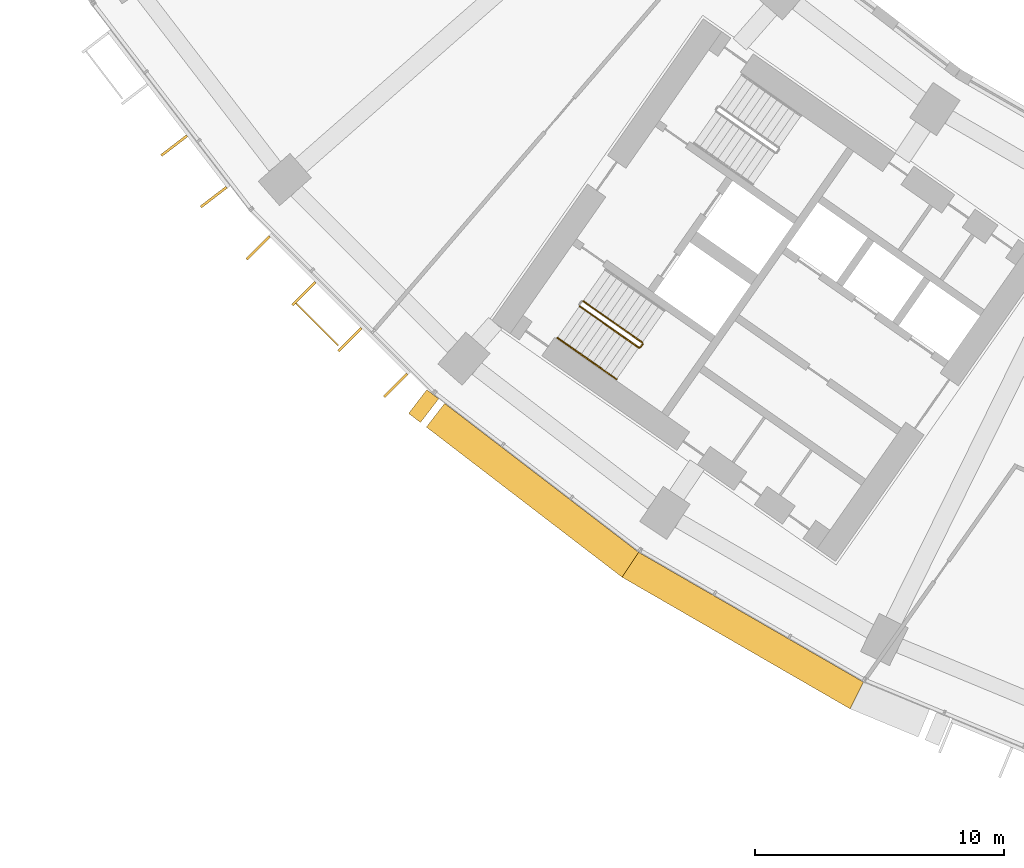
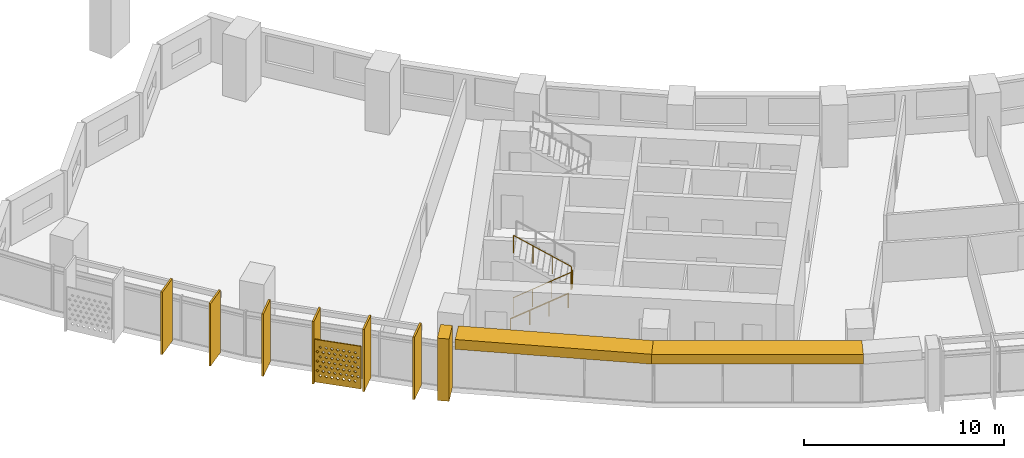
# One storey, part 24 of 31: 10 shading devices, 3 railings.
"""IFC4 building model written with IfcOpenShell, lengths in metres."""

from ifc_helpers import new_model, si_unit, direction, frame, origin, origin_2d, place, context, subcontext, project, spatial, polyline, rectangle, circle, outline, extrude, material, material_profile, profile_set, type_object, element, save


model = new_model("IFC4")

# Units and contexts
model_context = context("Model", 3, precision=1e-05, world=origin(), true_north=direction((0.0, 1.0)))
body_context = subcontext(model_context, "Body", "Model", "MODEL_VIEW")
ifc_project = project(units=[si_unit("LENGTHUNIT", "METRE"), si_unit("AREAUNIT", "SQUARE_METRE"), si_unit("VOLUMEUNIT", "CUBIC_METRE"), si_unit("PLANEANGLEUNIT", "RADIAN"), si_unit("MASSUNIT", "GRAM", prefix="KILO")], contexts=[model_context])

# Site, building, storey
site_placement = place(None, origin())
site = spatial("IfcSite", under=ifc_project, at=site_placement, CompositionType="ELEMENT")
building_placement = place(site_placement, origin())
building = spatial("IfcBuilding", under=site, at=building_placement, Name="Qamariyya Broadcast Tower", CompositionType="ELEMENT")
storey_placement = place(building_placement, frame((0.0, 0.0, 86.10009765625)))
storey = spatial("IfcBuildingStorey", under=building, at=storey_placement, Name="L18", CompositionType="ELEMENT", Elevation=86.10009765625)

# Shading devices
ifc_material_1 = material(Name="Steel S355 powder coated deep red", Category="steel")
shading_device_type_1 = type_object("IfcShadingDeviceType", Name="Deep red frame, powder coated steel box section", PredefinedType="USERDEFINED", material=ifc_material_1)
shading_device_1_placement = place(storey_placement, origin())
element("IfcShadingDevice", 1, at=shading_device_1_placement, inside=storey, type_object=shading_device_type_1, Name="e-frm-B1-F2-posta-L18", ObjectType="FRAME", PredefinedType="USERDEFINED", context=body_context, shape_type="SweptSolid", body=[
    extrude(outline(polyline([(-52.7548828125, -59.701416015625), (-53.4853515625, -60.6533203125), (-53.009521484375, -61.018798828125), (-52.27880859375, -60.066650390625), (-52.7548828125, -59.701416015625)])), origin(), (0.0, 0.0, 1.0), 3.7998046875),
])
shading_device_2_placement = place(storey_placement, frame((0.0, 0.0, 3.199951171875)))
element("IfcShadingDevice", 2, at=shading_device_2_placement, inside=storey, type_object=shading_device_type_1, Name="e-frm-B1-F2-top0", ObjectType="FRAME", PredefinedType="USERDEFINED", context=body_context, shape_type="SweptSolid", body=[
    extrude(outline(polyline([(-52.040771484375, -60.249267578125), (-52.771484375, -61.201416015625), (-44.919189453125, -67.2265625), (-44.251220703125, -66.2265625), (-52.040771484375, -60.249267578125)])), origin(), (0.0, 0.0, 1.0), 0.599853515625),
])
shading_device_3_placement = place(storey_placement, frame((0.0, 0.0, 3.199951171875)))
element("IfcShadingDevice", 3, at=shading_device_3_placement, inside=storey, type_object=shading_device_type_1, Name="e-frm-B1-F2-top1", ObjectType="FRAME", PredefinedType="USERDEFINED", context=body_context, shape_type="SweptSolid", body=[
    extrude(outline(polyline([(-44.251220703125, -66.2265625), (-44.919189453125, -67.2265625), (-35.76025390625, -72.514404296875), (-35.228271484375, -71.43603515625), (-44.251220703125, -66.2265625)])), origin(), (0.0, 0.0, 1.0), 0.599853515625),
])
ifc_material_2 = material(Name="Perforated glazed terracotta", Category="masonry")
ifc_material_profile_1 = material_profile(ifc_material_2, outline(polyline([(-1.199951171875, -1.300048828125), (1.199951171875, -1.300048828125), (1.199951171875, 1.300048828125), (-1.199951171875, 1.300048828125), (-1.199951171875, -1.300048828125)]), holes=[polyline([(-0.81494140625, -0.86669921875), (-0.89990234375, -0.78173828125), (-0.985107421875, -0.86669921875), (-0.89990234375, -0.95166015625), (-0.81494140625, -0.86669921875)]), polyline([(-0.514892578125, -0.86669921875), (-0.60009765625, -0.78173828125), (-0.68505859375, -0.86669921875), (-0.60009765625, -0.95166015625), (-0.514892578125, -0.86669921875)]), polyline([(-0.215087890625, -0.86669921875), (-0.300048828125, -0.78173828125), (-0.385009765625, -0.86669921875), (-0.300048828125, -0.95166015625), (-0.215087890625, -0.86669921875)]), polyline([(0.0849609375, -0.86669921875), (0.0, -0.78173828125), (-0.0849609375, -0.86669921875), (0.0, -0.95166015625), (0.0849609375, -0.86669921875)]), polyline([(0.385009765625, -0.86669921875), (0.300048828125, -0.78173828125), (0.215087890625, -0.86669921875), (0.300048828125, -0.95166015625), (0.385009765625, -0.86669921875)]), polyline([(0.68505859375, -0.86669921875), (0.60009765625, -0.78173828125), (0.514892578125, -0.86669921875), (0.60009765625, -0.95166015625), (0.68505859375, -0.86669921875)]), polyline([(0.985107421875, -0.86669921875), (0.89990234375, -0.78173828125), (0.81494140625, -0.86669921875), (0.89990234375, -0.95166015625), (0.985107421875, -0.86669921875)]), polyline([(-0.965087890625, -0.577880859375), (-1.050048828125, -0.49267578125), (-1.135009765625, -0.577880859375), (-1.050048828125, -0.662841796875), (-0.965087890625, -0.577880859375)]), polyline([(-0.6650390625, -0.577880859375), (-0.75, -0.49267578125), (-0.8349609375, -0.577880859375), (-0.75, -0.662841796875), (-0.6650390625, -0.577880859375)]), polyline([(-0.364990234375, -0.577880859375), (-0.449951171875, -0.49267578125), (-0.534912109375, -0.577880859375), (-0.449951171875, -0.662841796875), (-0.364990234375, -0.577880859375)]), polyline([(-0.06494140625, -0.577880859375), (-0.14990234375, -0.49267578125), (-0.235107421875, -0.577880859375), (-0.14990234375, -0.662841796875), (-0.06494140625, -0.577880859375)]), polyline([(0.235107421875, -0.577880859375), (0.14990234375, -0.49267578125), (0.06494140625, -0.577880859375), (0.14990234375, -0.662841796875), (0.235107421875, -0.577880859375)]), polyline([(0.534912109375, -0.577880859375), (0.449951171875, -0.49267578125), (0.364990234375, -0.577880859375), (0.449951171875, -0.662841796875), (0.534912109375, -0.577880859375)]), polyline([(0.8349609375, -0.577880859375), (0.75, -0.49267578125), (0.6650390625, -0.577880859375), (0.75, -0.662841796875), (0.8349609375, -0.577880859375)]), polyline([(1.135009765625, -0.577880859375), (1.050048828125, -0.49267578125), (0.965087890625, -0.577880859375), (1.050048828125, -0.662841796875), (1.135009765625, -0.577880859375)]), polyline([(-0.81494140625, -0.288818359375), (-0.89990234375, -0.203857421875), (-0.985107421875, -0.288818359375), (-0.89990234375, -0.373779296875), (-0.81494140625, -0.288818359375)]), polyline([(-0.514892578125, -0.288818359375), (-0.60009765625, -0.203857421875), (-0.68505859375, -0.288818359375), (-0.60009765625, -0.373779296875), (-0.514892578125, -0.288818359375)]), polyline([(-0.215087890625, -0.288818359375), (-0.300048828125, -0.203857421875), (-0.385009765625, -0.288818359375), (-0.300048828125, -0.373779296875), (-0.215087890625, -0.288818359375)]), polyline([(0.0849609375, -0.288818359375), (0.0, -0.203857421875), (-0.0849609375, -0.288818359375), (0.0, -0.373779296875), (0.0849609375, -0.288818359375)]), polyline([(0.385009765625, -0.288818359375), (0.300048828125, -0.203857421875), (0.215087890625, -0.288818359375), (0.300048828125, -0.373779296875), (0.385009765625, -0.288818359375)]), polyline([(0.68505859375, -0.288818359375), (0.60009765625, -0.203857421875), (0.514892578125, -0.288818359375), (0.60009765625, -0.373779296875), (0.68505859375, -0.288818359375)]), polyline([(0.985107421875, -0.288818359375), (0.89990234375, -0.203857421875), (0.81494140625, -0.288818359375), (0.89990234375, -0.373779296875), (0.985107421875, -0.288818359375)]), polyline([(-0.965087890625, 0.0), (-1.050048828125, 0.0849609375), (-1.135009765625, 0.0), (-1.050048828125, -0.0849609375), (-0.965087890625, 0.0)]), polyline([(-0.6650390625, 0.0), (-0.75, 0.0849609375), (-0.8349609375, 0.0), (-0.75, -0.0849609375), (-0.6650390625, 0.0)]), polyline([(-0.364990234375, 0.0), (-0.449951171875, 0.0849609375), (-0.534912109375, 0.0), (-0.449951171875, -0.0849609375), (-0.364990234375, 0.0)]), polyline([(-0.06494140625, 0.0), (-0.14990234375, 0.0849609375), (-0.235107421875, 0.0), (-0.14990234375, -0.0849609375), (-0.06494140625, 0.0)]), polyline([(0.235107421875, 0.0), (0.14990234375, 0.0849609375), (0.06494140625, 0.0), (0.14990234375, -0.0849609375), (0.235107421875, 0.0)]), polyline([(0.534912109375, 0.0), (0.449951171875, 0.0849609375), (0.364990234375, 0.0), (0.449951171875, -0.0849609375), (0.534912109375, 0.0)]), polyline([(0.8349609375, 0.0), (0.75, 0.0849609375), (0.6650390625, 0.0), (0.75, -0.0849609375), (0.8349609375, 0.0)]), polyline([(1.135009765625, 0.0), (1.050048828125, 0.0849609375), (0.965087890625, 0.0), (1.050048828125, -0.0849609375), (1.135009765625, 0.0)]), polyline([(-0.81494140625, 0.288818359375), (-0.89990234375, 0.373779296875), (-0.985107421875, 0.288818359375), (-0.89990234375, 0.203857421875), (-0.81494140625, 0.288818359375)]), polyline([(-0.514892578125, 0.288818359375), (-0.60009765625, 0.373779296875), (-0.68505859375, 0.288818359375), (-0.60009765625, 0.203857421875), (-0.514892578125, 0.288818359375)]), polyline([(-0.215087890625, 0.288818359375), (-0.300048828125, 0.373779296875), (-0.385009765625, 0.288818359375), (-0.300048828125, 0.203857421875), (-0.215087890625, 0.288818359375)]), polyline([(0.0849609375, 0.288818359375), (0.0, 0.373779296875), (-0.0849609375, 0.288818359375), (0.0, 0.203857421875), (0.0849609375, 0.288818359375)]), polyline([(0.385009765625, 0.288818359375), (0.300048828125, 0.373779296875), (0.215087890625, 0.288818359375), (0.300048828125, 0.203857421875), (0.385009765625, 0.288818359375)]), polyline([(0.68505859375, 0.288818359375), (0.60009765625, 0.373779296875), (0.514892578125, 0.288818359375), (0.60009765625, 0.203857421875), (0.68505859375, 0.288818359375)]), polyline([(0.985107421875, 0.288818359375), (0.89990234375, 0.373779296875), (0.81494140625, 0.288818359375), (0.89990234375, 0.203857421875), (0.985107421875, 0.288818359375)]), polyline([(-0.965087890625, 0.577880859375), (-1.050048828125, 0.662841796875), (-1.135009765625, 0.577880859375), (-1.050048828125, 0.49267578125), (-0.965087890625, 0.577880859375)]), polyline([(-0.6650390625, 0.577880859375), (-0.75, 0.662841796875), (-0.8349609375, 0.577880859375), (-0.75, 0.49267578125), (-0.6650390625, 0.577880859375)]), polyline([(-0.364990234375, 0.577880859375), (-0.449951171875, 0.662841796875), (-0.534912109375, 0.577880859375), (-0.449951171875, 0.49267578125), (-0.364990234375, 0.577880859375)]), polyline([(-0.06494140625, 0.577880859375), (-0.14990234375, 0.662841796875), (-0.235107421875, 0.577880859375), (-0.14990234375, 0.49267578125), (-0.06494140625, 0.577880859375)]), polyline([(0.235107421875, 0.577880859375), (0.14990234375, 0.662841796875), (0.06494140625, 0.577880859375), (0.14990234375, 0.49267578125), (0.235107421875, 0.577880859375)]), polyline([(0.534912109375, 0.577880859375), (0.449951171875, 0.662841796875), (0.364990234375, 0.577880859375), (0.449951171875, 0.49267578125), (0.534912109375, 0.577880859375)]), polyline([(0.8349609375, 0.577880859375), (0.75, 0.662841796875), (0.6650390625, 0.577880859375), (0.75, 0.49267578125), (0.8349609375, 0.577880859375)]), polyline([(1.135009765625, 0.577880859375), (1.050048828125, 0.662841796875), (0.965087890625, 0.577880859375), (1.050048828125, 0.49267578125), (1.135009765625, 0.577880859375)]), polyline([(-0.81494140625, 0.86669921875), (-0.89990234375, 0.95166015625), (-0.985107421875, 0.86669921875), (-0.89990234375, 0.78173828125), (-0.81494140625, 0.86669921875)]), polyline([(-0.514892578125, 0.86669921875), (-0.60009765625, 0.95166015625), (-0.68505859375, 0.86669921875), (-0.60009765625, 0.78173828125), (-0.514892578125, 0.86669921875)]), polyline([(-0.215087890625, 0.86669921875), (-0.300048828125, 0.95166015625), (-0.385009765625, 0.86669921875), (-0.300048828125, 0.78173828125), (-0.215087890625, 0.86669921875)]), polyline([(0.0849609375, 0.86669921875), (0.0, 0.95166015625), (-0.0849609375, 0.86669921875), (0.0, 0.78173828125), (0.0849609375, 0.86669921875)]), polyline([(0.385009765625, 0.86669921875), (0.300048828125, 0.95166015625), (0.215087890625, 0.86669921875), (0.300048828125, 0.78173828125), (0.385009765625, 0.86669921875)]), polyline([(0.68505859375, 0.86669921875), (0.60009765625, 0.95166015625), (0.514892578125, 0.86669921875), (0.60009765625, 0.78173828125), (0.68505859375, 0.86669921875)]), polyline([(0.985107421875, 0.86669921875), (0.89990234375, 0.95166015625), (0.81494140625, 0.86669921875), (0.89990234375, 0.78173828125), (0.985107421875, 0.86669921875)])]))
ifc_profile_set_1 = profile_set([ifc_material_profile_1], Name="Perforated glazed terracotta")
shading_device_type_2 = type_object("IfcShadingDeviceType", Name="Perforated terracotta screen 2400 x 2600", PredefinedType="USERDEFINED", material=ifc_profile_set_1)
shading_device_4_placement = place(storey_placement, frame((-57.135498046875, -57.0615234375, 1.349853515625), z_axis=(-0.707106781187, -0.707106781187, 0.0), x_axis=(0.707106781187, -0.707106781187, 0.0)))
element("IfcShadingDevice", 4, at=shading_device_4_placement, inside=storey, type_object=shading_device_type_2, Name="e-scr-L18-02-1", ObjectType="SCREEN", PredefinedType="USERDEFINED", context=body_context, shape_type="SweptSolid", body=[
    extrude(outline(polyline([(-1.199951171875, -1.300048828125), (1.199951171875, -1.300048828125), (1.199951171875, 1.300048828125), (-1.199951171875, 1.300048828125), (-1.199951171875, -1.300048828125)]), holes=[polyline([(-0.81494140625, -0.86669921875), (-0.89990234375, -0.78173828125), (-0.985107421875, -0.86669921875), (-0.89990234375, -0.95166015625), (-0.81494140625, -0.86669921875)]), polyline([(-0.514892578125, -0.86669921875), (-0.60009765625, -0.78173828125), (-0.68505859375, -0.86669921875), (-0.60009765625, -0.95166015625), (-0.514892578125, -0.86669921875)]), polyline([(-0.215087890625, -0.86669921875), (-0.300048828125, -0.78173828125), (-0.385009765625, -0.86669921875), (-0.300048828125, -0.95166015625), (-0.215087890625, -0.86669921875)]), polyline([(0.0849609375, -0.86669921875), (0.0, -0.78173828125), (-0.0849609375, -0.86669921875), (0.0, -0.95166015625), (0.0849609375, -0.86669921875)]), polyline([(0.385009765625, -0.86669921875), (0.300048828125, -0.78173828125), (0.215087890625, -0.86669921875), (0.300048828125, -0.95166015625), (0.385009765625, -0.86669921875)]), polyline([(0.68505859375, -0.86669921875), (0.60009765625, -0.78173828125), (0.514892578125, -0.86669921875), (0.60009765625, -0.95166015625), (0.68505859375, -0.86669921875)]), polyline([(0.985107421875, -0.86669921875), (0.89990234375, -0.78173828125), (0.81494140625, -0.86669921875), (0.89990234375, -0.95166015625), (0.985107421875, -0.86669921875)]), polyline([(-0.965087890625, -0.577880859375), (-1.050048828125, -0.49267578125), (-1.135009765625, -0.577880859375), (-1.050048828125, -0.662841796875), (-0.965087890625, -0.577880859375)]), polyline([(-0.6650390625, -0.577880859375), (-0.75, -0.49267578125), (-0.8349609375, -0.577880859375), (-0.75, -0.662841796875), (-0.6650390625, -0.577880859375)]), polyline([(-0.364990234375, -0.577880859375), (-0.449951171875, -0.49267578125), (-0.534912109375, -0.577880859375), (-0.449951171875, -0.662841796875), (-0.364990234375, -0.577880859375)]), polyline([(-0.06494140625, -0.577880859375), (-0.14990234375, -0.49267578125), (-0.235107421875, -0.577880859375), (-0.14990234375, -0.662841796875), (-0.06494140625, -0.577880859375)]), polyline([(0.235107421875, -0.577880859375), (0.14990234375, -0.49267578125), (0.06494140625, -0.577880859375), (0.14990234375, -0.662841796875), (0.235107421875, -0.577880859375)]), polyline([(0.534912109375, -0.577880859375), (0.449951171875, -0.49267578125), (0.364990234375, -0.577880859375), (0.449951171875, -0.662841796875), (0.534912109375, -0.577880859375)]), polyline([(0.8349609375, -0.577880859375), (0.75, -0.49267578125), (0.6650390625, -0.577880859375), (0.75, -0.662841796875), (0.8349609375, -0.577880859375)]), polyline([(1.135009765625, -0.577880859375), (1.050048828125, -0.49267578125), (0.965087890625, -0.577880859375), (1.050048828125, -0.662841796875), (1.135009765625, -0.577880859375)]), polyline([(-0.81494140625, -0.288818359375), (-0.89990234375, -0.203857421875), (-0.985107421875, -0.288818359375), (-0.89990234375, -0.373779296875), (-0.81494140625, -0.288818359375)]), polyline([(-0.514892578125, -0.288818359375), (-0.60009765625, -0.203857421875), (-0.68505859375, -0.288818359375), (-0.60009765625, -0.373779296875), (-0.514892578125, -0.288818359375)]), polyline([(-0.215087890625, -0.288818359375), (-0.300048828125, -0.203857421875), (-0.385009765625, -0.288818359375), (-0.300048828125, -0.373779296875), (-0.215087890625, -0.288818359375)]), polyline([(0.0849609375, -0.288818359375), (0.0, -0.203857421875), (-0.0849609375, -0.288818359375), (0.0, -0.373779296875), (0.0849609375, -0.288818359375)]), polyline([(0.385009765625, -0.288818359375), (0.300048828125, -0.203857421875), (0.215087890625, -0.288818359375), (0.300048828125, -0.373779296875), (0.385009765625, -0.288818359375)]), polyline([(0.68505859375, -0.288818359375), (0.60009765625, -0.203857421875), (0.514892578125, -0.288818359375), (0.60009765625, -0.373779296875), (0.68505859375, -0.288818359375)]), polyline([(0.985107421875, -0.288818359375), (0.89990234375, -0.203857421875), (0.81494140625, -0.288818359375), (0.89990234375, -0.373779296875), (0.985107421875, -0.288818359375)]), polyline([(-0.965087890625, 0.0), (-1.050048828125, 0.0849609375), (-1.135009765625, 0.0), (-1.050048828125, -0.0849609375), (-0.965087890625, 0.0)]), polyline([(-0.6650390625, 0.0), (-0.75, 0.0849609375), (-0.8349609375, 0.0), (-0.75, -0.0849609375), (-0.6650390625, 0.0)]), polyline([(-0.364990234375, 0.0), (-0.449951171875, 0.0849609375), (-0.534912109375, 0.0), (-0.449951171875, -0.0849609375), (-0.364990234375, 0.0)]), polyline([(-0.06494140625, 0.0), (-0.14990234375, 0.0849609375), (-0.235107421875, 0.0), (-0.14990234375, -0.0849609375), (-0.06494140625, 0.0)]), polyline([(0.235107421875, 0.0), (0.14990234375, 0.0849609375), (0.06494140625, 0.0), (0.14990234375, -0.0849609375), (0.235107421875, 0.0)]), polyline([(0.534912109375, 0.0), (0.449951171875, 0.0849609375), (0.364990234375, 0.0), (0.449951171875, -0.0849609375), (0.534912109375, 0.0)]), polyline([(0.8349609375, 0.0), (0.75, 0.0849609375), (0.6650390625, 0.0), (0.75, -0.0849609375), (0.8349609375, 0.0)]), polyline([(1.135009765625, 0.0), (1.050048828125, 0.0849609375), (0.965087890625, 0.0), (1.050048828125, -0.0849609375), (1.135009765625, 0.0)]), polyline([(-0.81494140625, 0.288818359375), (-0.89990234375, 0.373779296875), (-0.985107421875, 0.288818359375), (-0.89990234375, 0.203857421875), (-0.81494140625, 0.288818359375)]), polyline([(-0.514892578125, 0.288818359375), (-0.60009765625, 0.373779296875), (-0.68505859375, 0.288818359375), (-0.60009765625, 0.203857421875), (-0.514892578125, 0.288818359375)]), polyline([(-0.215087890625, 0.288818359375), (-0.300048828125, 0.373779296875), (-0.385009765625, 0.288818359375), (-0.300048828125, 0.203857421875), (-0.215087890625, 0.288818359375)]), polyline([(0.0849609375, 0.288818359375), (0.0, 0.373779296875), (-0.0849609375, 0.288818359375), (0.0, 0.203857421875), (0.0849609375, 0.288818359375)]), polyline([(0.385009765625, 0.288818359375), (0.300048828125, 0.373779296875), (0.215087890625, 0.288818359375), (0.300048828125, 0.203857421875), (0.385009765625, 0.288818359375)]), polyline([(0.68505859375, 0.288818359375), (0.60009765625, 0.373779296875), (0.514892578125, 0.288818359375), (0.60009765625, 0.203857421875), (0.68505859375, 0.288818359375)]), polyline([(0.985107421875, 0.288818359375), (0.89990234375, 0.373779296875), (0.81494140625, 0.288818359375), (0.89990234375, 0.203857421875), (0.985107421875, 0.288818359375)]), polyline([(-0.965087890625, 0.577880859375), (-1.050048828125, 0.662841796875), (-1.135009765625, 0.577880859375), (-1.050048828125, 0.49267578125), (-0.965087890625, 0.577880859375)]), polyline([(-0.6650390625, 0.577880859375), (-0.75, 0.662841796875), (-0.8349609375, 0.577880859375), (-0.75, 0.49267578125), (-0.6650390625, 0.577880859375)]), polyline([(-0.364990234375, 0.577880859375), (-0.449951171875, 0.662841796875), (-0.534912109375, 0.577880859375), (-0.449951171875, 0.49267578125), (-0.364990234375, 0.577880859375)]), polyline([(-0.06494140625, 0.577880859375), (-0.14990234375, 0.662841796875), (-0.235107421875, 0.577880859375), (-0.14990234375, 0.49267578125), (-0.06494140625, 0.577880859375)]), polyline([(0.235107421875, 0.577880859375), (0.14990234375, 0.662841796875), (0.06494140625, 0.577880859375), (0.14990234375, 0.49267578125), (0.235107421875, 0.577880859375)]), polyline([(0.534912109375, 0.577880859375), (0.449951171875, 0.662841796875), (0.364990234375, 0.577880859375), (0.449951171875, 0.49267578125), (0.534912109375, 0.577880859375)]), polyline([(0.8349609375, 0.577880859375), (0.75, 0.662841796875), (0.6650390625, 0.577880859375), (0.75, 0.49267578125), (0.8349609375, 0.577880859375)]), polyline([(1.135009765625, 0.577880859375), (1.050048828125, 0.662841796875), (0.965087890625, 0.577880859375), (1.050048828125, 0.49267578125), (1.135009765625, 0.577880859375)]), polyline([(-0.81494140625, 0.86669921875), (-0.89990234375, 0.95166015625), (-0.985107421875, 0.86669921875), (-0.89990234375, 0.78173828125), (-0.81494140625, 0.86669921875)]), polyline([(-0.514892578125, 0.86669921875), (-0.60009765625, 0.95166015625), (-0.68505859375, 0.86669921875), (-0.60009765625, 0.78173828125), (-0.514892578125, 0.86669921875)]), polyline([(-0.215087890625, 0.86669921875), (-0.300048828125, 0.95166015625), (-0.385009765625, 0.86669921875), (-0.300048828125, 0.78173828125), (-0.215087890625, 0.86669921875)]), polyline([(0.0849609375, 0.86669921875), (0.0, 0.95166015625), (-0.0849609375, 0.86669921875), (0.0, 0.78173828125), (0.0849609375, 0.86669921875)]), polyline([(0.385009765625, 0.86669921875), (0.300048828125, 0.95166015625), (0.215087890625, 0.86669921875), (0.300048828125, 0.78173828125), (0.385009765625, 0.86669921875)]), polyline([(0.68505859375, 0.86669921875), (0.60009765625, 0.95166015625), (0.514892578125, 0.86669921875), (0.60009765625, 0.78173828125), (0.68505859375, 0.86669921875)]), polyline([(0.985107421875, 0.86669921875), (0.89990234375, 0.95166015625), (0.81494140625, 0.86669921875), (0.89990234375, 0.78173828125), (0.985107421875, 0.86669921875)])]), origin(), (0.0, 0.0, 1.0), 0.06005859375),
])

# Railings
ifc_material_3 = material(Name="Painted steel", Category="steel")
railing_type_1 = type_object("IfcRailingType", Name="Stair guard", PredefinedType="GUARDRAIL", material=ifc_material_3)
railing_1_placement = place(storey_placement, frame((-46.624267578125, -56.34765625, 0.172607421875)))
element("IfcRailing", 5, at=railing_1_placement, inside=storey, type_object=railing_type_1, Name="L18 ST-W1 stair guard 1", PredefinedType="GUARDRAIL", context=body_context, shape_type="SweptSolid", body=[
    extrude(circle(Radius=0.02392578125, at=origin_2d()), frame((0.0, 0.0, 1.076171875), z_axis=(0.703745009021, -0.492838488332, 0.511715923826), x_axis=(0.573631830683, 0.819113253969, 0.0)), (0.0, 0.0, 1.0), 3.37548828125),
    extrude(circle(Radius=0.02392578125, at=origin_2d()), frame((2.37548828125, -1.66357421875, 2.80322265625), z_axis=(0.984363469884, 0.176149252506, 0.0), x_axis=(-0.176149252506, 0.984363469884, 0.0)), (0.0, 0.0, 1.0), 0.07080078125),
    extrude(circle(Radius=0.02392578125, at=origin_2d()), frame((2.445068359375, -1.651123046875, 2.80322265625), z_axis=(0.574444878118, 0.818543268254, 0.0), x_axis=(-0.818543268254, 0.574444878118, 0.0)), (0.0, 0.0, 1.0), 0.150146484375),
    extrude(circle(Radius=0.02099609375, at=origin_2d()), origin(), (0.0, 0.0, 1.0), 1.052001953125),
    extrude(circle(Radius=0.02099609375, at=origin_2d()), frame((0.791748046875, -0.554443359375, 0.57568359375)), (0.0, 0.0, 1.0), 1.052001953125),
    extrude(circle(Radius=0.02099609375, at=origin_2d()), frame((1.583740234375, -1.109130859375, 1.151611328125)), (0.0, 0.0, 1.0), 1.052001953125),
    extrude(circle(Radius=0.02099609375, at=origin_2d()), frame((2.37548828125, -1.66357421875, 1.727294921875)), (0.0, 0.0, 1.0), 1.052001953125),
    extrude(circle(Radius=0.02099609375, at=origin_2d()), frame((2.445068359375, -1.651123046875, 1.727294921875)), (0.0, 0.0, 1.0), 1.052001953125),
    extrude(circle(Radius=0.02099609375, at=origin_2d()), frame((2.53125, -1.5283203125, 1.727294921875)), (0.0, 0.0, 1.0), 1.052001953125),
])
railing_2_placement = place(storey_placement, frame((-44.10546875, -57.806396484375, 2.072509765625)))
element("IfcRailing", 6, at=railing_2_placement, inside=storey, type_object=railing_type_1, Name="L18 ST-W1 stair guard 2", PredefinedType="GUARDRAIL", context=body_context, shape_type="SweptSolid", body=[
    extrude(circle(Radius=0.02392578125, at=origin_2d()), frame((0.0, 0.0, 1.076171875), z_axis=(-0.703770094002, 0.492783725636, 0.511734163933), x_axis=(-0.573575343427, -0.819152809562, 0.0)), (0.0, 0.0, 1.0), 3.37548828125),
    extrude(circle(Radius=0.02099609375, at=origin_2d()), origin(), (0.0, 0.0, 1.0), 1.052001953125),
    extrude(circle(Radius=0.02099609375, at=origin_2d()), frame((-0.791748046875, 0.554443359375, 0.57568359375)), (0.0, 0.0, 1.0), 1.052001953125),
    extrude(circle(Radius=0.02099609375, at=origin_2d()), frame((-1.583740234375, 1.10888671875, 1.151611328125)), (0.0, 0.0, 1.0), 1.052001953125),
    extrude(circle(Radius=0.02099609375, at=origin_2d()), frame((-2.37548828125, 1.663330078125, 1.727294921875)), (0.0, 0.0, 1.0), 1.052001953125),
])
ifc_material_4 = material(Name="Stainless steel", Category="steel")
railing_type_2 = type_object("IfcRailingType", Name="Stair handrail", PredefinedType="HANDRAIL", material=ifc_material_4)
railing_3_placement = place(storey_placement, frame((-47.513427734375, -57.617431640625, 0.172607421875)))
element("IfcRailing", 7, at=railing_3_placement, inside=storey, type_object=railing_type_2, Name="L18 ST-W1 stair handrail 1", PredefinedType="HANDRAIL", context=body_context, shape_type="SweptSolid", body=[
    extrude(circle(Radius=0.02392578125, at=origin_2d()), frame((0.0, 0.0, 0.8759765625), z_axis=(0.703770094002, -0.492783725636, 0.511734163933), x_axis=(0.573575343427, 0.819152809562, 0.0)), (0.0, 0.0, 1.0), 3.37548828125),
    extrude(circle(Radius=0.02099609375, at=origin_2d()), origin(), (0.0, 0.0, 1.0), 0.851806640625),
    extrude(circle(Radius=0.02099609375, at=origin_2d()), frame((0.791748046875, -0.554443359375, 0.57568359375)), (0.0, 0.0, 1.0), 0.851806640625),
    extrude(circle(Radius=0.02099609375, at=origin_2d()), frame((1.583740234375, -1.10888671875, 1.151611328125)), (0.0, 0.0, 1.0), 0.851806640625),
    extrude(circle(Radius=0.02099609375, at=origin_2d()), frame((2.37548828125, -1.663330078125, 1.727294921875)), (0.0, 0.0, 1.0), 0.851806640625),
])

# Shading devices
ifc_material_5 = material(Name="Glazed terracotta", Category="masonry")
ifc_material_profile_2 = material_profile(ifc_material_5, rectangle(XDim=1.300048828125, YDim=0.10009765625, at=origin_2d()))
ifc_profile_set_2 = profile_set([ifc_material_profile_2], Name="Glazed terracotta")
shading_device_type_3 = type_object("IfcShadingDeviceType", Name="Terracotta fin 100 x 1300", PredefinedType="USERDEFINED", material=ifc_profile_set_2)
for number, where, z_axis, x_axis, name in (
    (8, (-62.897216796875, -49.904296875, 0.0), (0.0, 0.0, 1.0), (-0.793353340291, -0.608761429009, 0.0), "e-fin-L18-01-2"),
    (9, (-61.3115234375, -51.970703125, 0.0), (0.0, 0.0, 1.0), (-0.793353340291, -0.608761429009, 0.0), "e-fin-L18-01-3"),
    (10, (-59.52880859375, -54.00341796875, 0.0), (0.0, 0.0, 1.0), (-0.707106781187, -0.707106781187, 0.0), "e-fin-L18-02-0"),
    (11, (-57.68701171875, -55.84521484375, 0.0), (0.0, 0.0, 1.0), (-0.707106781187, -0.707106781187, 0.0), "e-fin-L18-02-1"),
    (12, (-55.84521484375, -57.68701171875, 0.0), (0.0, 0.0, 1.0), (-0.707106781187, -0.707106781187, 0.0), "e-fin-L18-02-2"),
    (13, (-54.00341796875, -59.52880859375, 0.0), (0.0, 0.0, 1.0), (-0.707106781187, -0.707106781187, 0.0), "e-fin-L18-02-3"),
):
    element("IfcShadingDevice", number, at=place(storey_placement, frame(where, z_axis=z_axis, x_axis=x_axis)), inside=storey, type_object=shading_device_type_3, Name=name, ObjectType="FIN", PredefinedType="USERDEFINED", context=body_context, shape_type="SweptSolid", body=[
        extrude(rectangle(XDim=1.300048828125, YDim=0.10009765625, at=origin_2d()), origin(), (0.0, 0.0, 1.0), 3.7998046875),
    ])

save(model, "model.ifc")
